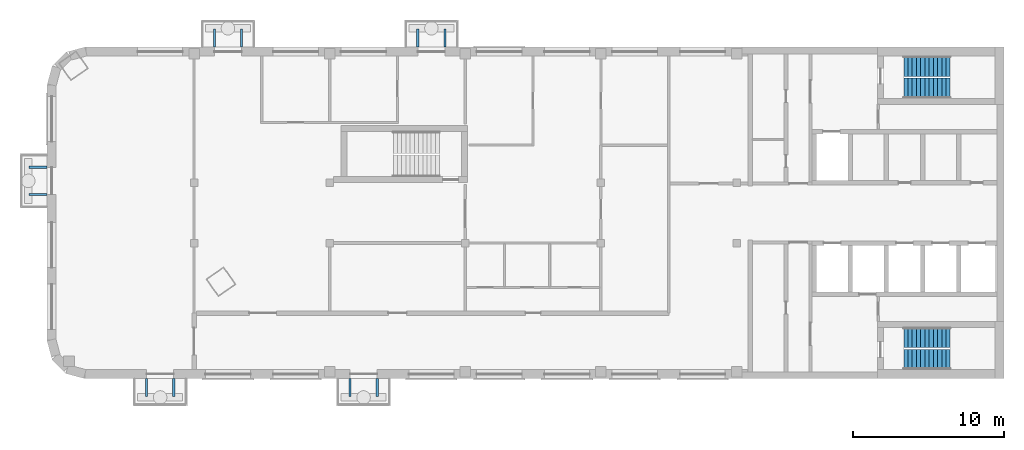
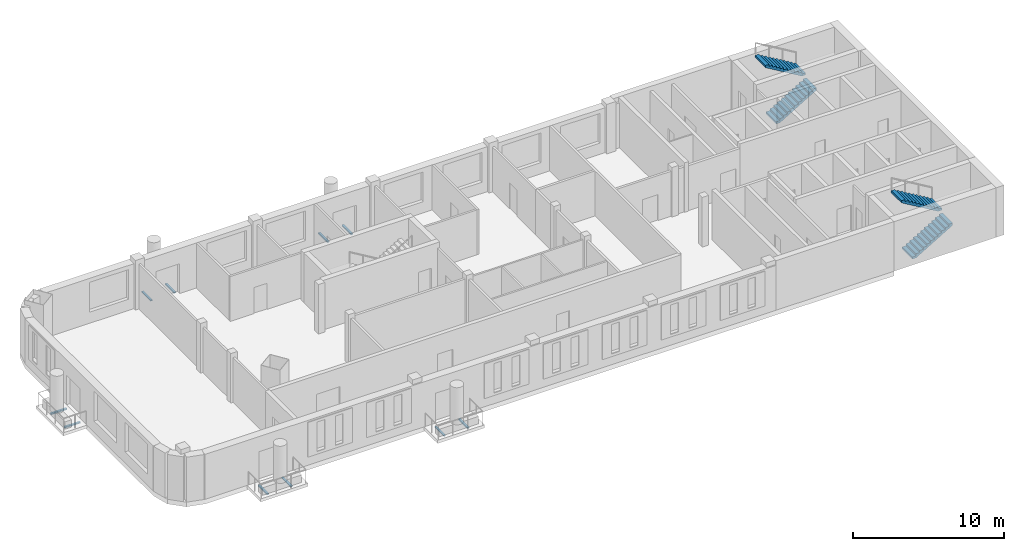
# One storey, part 5 of 8: 10 discrete accessories, 4 stair flights, 2 elements without a shape of their own.
"""IFC4 building model written with IfcOpenShell, lengths in metres."""

import ifcopenshell
import ifcopenshell.guid

model = None  # the IFC model being written
_history = None  # IfcOwnerHistory: only IFC2X3 demands one
_inside = {}  # id of a spatial element -> (the spatial element, [elements in it])
_under = {}  # id of a project, library or spatial element -> (it, [spatial elements below it])
_declared = {}  # id of a project -> (the project, [libraries it declares])
_typed = {}  # id of a type object -> (the type object, [elements of that type])
_made_of = {}  # id of a material, layer set ... -> (it, [elements and type objects made of it])


def new_model(schema):
    """Start an empty IFC model of exactly this schema.

    Asked for "IFC4X3", IfcOpenShell would pick the latest addendum, in which some entities
    have other attributes; the version numbers below select the first issue.
    IFC2X3 requires an IfcOwnerHistory on every rooted entity: one is made here for all.
    """
    global model, _history
    if schema == "IFC4X3":
        model = ifcopenshell.file(schema_version=(4, 3, 0, 0))
    else:
        model = ifcopenshell.file(schema=schema)
    _inside.clear()
    _under.clear()
    _declared.clear()
    _typed.clear()
    _made_of.clear()
    _history = None
    if model.schema == "IFC2X3":
        org = make("IfcOrganization", Name="unknown")
        user = make(
            "IfcPersonAndOrganization",
            ThePerson=make("IfcPerson", FamilyName="unknown"),
            TheOrganization=org,
        )
        app = make(
            "IfcApplication",
            ApplicationDeveloper=org,
            Version="unknown",
            ApplicationFullName="unknown",
            ApplicationIdentifier="unknown",
        )
        _history = make(
            "IfcOwnerHistory",
            OwningUser=user,
            OwningApplication=app,
            ChangeAction="ADDED",
            CreationDate=0,
        )
    return model


def make(cls, **values):
    """One entity of the class cls with the attributes given. An attribute that is None is left unset."""
    return model.create_entity(
        cls, **{name: value for name, value in values.items() if value is not None}
    )


def rooted(cls, **values):
    """An entity with a GlobalId (a new one), such as an element, a storey or a relation."""
    return make(cls, GlobalId=ifcopenshell.guid.new(), OwnerHistory=_history, **values)


def si_unit(unit_type, name, prefix=None):
    """IfcSIUnit, for example si_unit("LENGTHUNIT", "METRE", prefix="MILLI")."""
    return make("IfcSIUnit", UnitType=unit_type, Prefix=prefix, Name=name)


def assignment(units):
    """IfcUnitAssignment: the units of a project."""
    return None if units is None else make("IfcUnitAssignment", Units=units)


def point(xyz):
    """IfcCartesianPoint."""
    return None if xyz is None else make("IfcCartesianPoint", Coordinates=xyz)


def direction(xyz):
    """IfcDirection."""
    return None if xyz is None else make("IfcDirection", DirectionRatios=xyz)


def frame(location, z_axis=None, x_axis=None):
    """IfcAxis2Placement3D, a coordinate frame: its origin and axes. An axis left out is left unset."""
    return make(
        "IfcAxis2Placement3D",
        Location=point(location),
        Axis=direction(z_axis),
        RefDirection=direction(x_axis),
    )


def frame_2d(location, x_axis=None):
    """IfcAxis2Placement2D, a coordinate frame in the plane: its origin and x axis."""
    return make(
        "IfcAxis2Placement2D", Location=point(location), RefDirection=direction(x_axis)
    )


def origin():
    """The frame at (0, 0, 0) with its axes left unset."""
    return frame((0.0, 0.0, 0.0))


def origin_2d():
    """The frame at (0, 0) in the plane with its x axis left unset."""
    return frame_2d((0.0, 0.0))


def place(relative_to, where):
    """IfcLocalPlacement: puts the frame where relative to a parent placement (None: the world)."""
    return make(
        "IfcLocalPlacement", PlacementRelTo=relative_to, RelativePlacement=where
    )


def context(
    kind, dimensions, precision=None, world=None, true_north=None, identifier=None
):
    """IfcGeometricRepresentationContext, for example the 3D "Model" context."""
    return make(
        "IfcGeometricRepresentationContext",
        ContextIdentifier=identifier,
        ContextType=kind,
        CoordinateSpaceDimension=dimensions,
        Precision=precision,
        WorldCoordinateSystem=world,
        TrueNorth=true_north,
    )


def subcontext(parent, identifier, kind, view, scale=None):
    """IfcGeometricRepresentationSubContext, for example "Body" below "Model"."""
    return make(
        "IfcGeometricRepresentationSubContext",
        ContextIdentifier=identifier,
        ContextType=kind,
        ParentContext=parent,
        TargetScale=scale,
        TargetView=view,
    )


def project(units=None, contexts=None):
    """IfcProject with its units and contexts."""
    return rooted(
        "IfcProject",
        Name="project",
        RepresentationContexts=contexts,
        UnitsInContext=assignment(units),
    )


def spatial(cls, under=None, at=None, **own):
    """A site, building, storey or space (cls), placed at a placement, below another one or the project."""
    s = rooted(cls, ObjectPlacement=at, **own)
    if under is not None:
        _under.setdefault(under.id(), (under, []))[1].append(s)
    return s


def polyline(points):
    """IfcPolyline through the points."""
    return make("IfcPolyline", Points=[point(p) for p in points])


def profile(cls, at=None, kind="AREA", **sizes):
    """A parametric profile (cls). Its sizes go by their IFC names, for example OverallWidth=200.0."""
    return make(cls, ProfileType=kind, Position=at, **sizes)


def rectangle(**sizes):
    """IfcRectangleProfileDef."""
    return profile("IfcRectangleProfileDef", **sizes)


def outline(outer, holes=None, kind="AREA"):
    """IfcArbitraryClosedProfileDef: a profile drawn as a closed curve; with holes, ...WithVoids."""
    if holes is None:
        return make("IfcArbitraryClosedProfileDef", ProfileType=kind, OuterCurve=outer)
    return make(
        "IfcArbitraryProfileDefWithVoids",
        ProfileType=kind,
        OuterCurve=outer,
        InnerCurves=holes,
    )


def extrude(swept, where, along, depth):
    """IfcExtrudedAreaSolid: the profile swept, set in the frame where, extruded along a direction by depth."""
    return make(
        "IfcExtrudedAreaSolid",
        SweptArea=swept,
        Position=where,
        ExtrudedDirection=direction(along),
        Depth=depth,
    )


def shape(context_of_items, identifier, shape_type, items):
    """IfcShapeRepresentation: the items that make up one representation, for example the "Body"."""
    return make(
        "IfcShapeRepresentation",
        ContextOfItems=context_of_items,
        RepresentationIdentifier=identifier,
        RepresentationType=shape_type,
        Items=items,
    )


def material(Name=None, Category=None):
    """IfcMaterial."""
    return make("IfcMaterial", Name=Name, Category=Category)


def made_of(thing, what):
    """Note that an element or type object is made of a material, layer set ...; save() writes the relation."""
    if what is not None:
        _made_of.setdefault(what.id(), (what, []))[1].append(thing)
    return thing


def type_object(cls, material=None, **own):
    """A type object (cls), such as IfcWallType, which elements share."""
    return made_of(rooted(cls, **own), material)


def element(
    cls,
    number,
    at=None,
    inside=None,
    cuts=None,
    type_object=None,
    material=None,
    context=None,
    identifier="Body",
    shape_type=None,
    held_by="IfcProductDefinitionShape",
    body=None,
    shapes=None,
    **own,
):
    """One element of the class cls, such as IfcWall. Its Tag is "e" and its number.

    at: its placement. inside: the storey or other place that contains it. cuts: it is an
    opening in that element (IfcRelVoidsElement). A single representation is given by context,
    identifier, shape_type and body (its items); several are given by shapes. held_by: the class
    of the entity that holds the representations. save() writes the other relations.
    """
    e = rooted(cls, Tag="e%d" % number, ObjectPlacement=at, **own)
    if body is not None:
        shapes = [shape(context, identifier, shape_type, body)]
    if shapes is not None:
        e.Representation = make(held_by, Representations=shapes)
    if inside is not None:
        _inside.setdefault(inside.id(), (inside, []))[1].append(e)
    if cuts is not None:
        rooted(
            "IfcRelVoidsElement", RelatingBuildingElement=cuts, RelatedOpeningElement=e
        )
    if type_object is not None:
        _typed.setdefault(type_object.id(), (type_object, []))[1].append(e)
    return made_of(e, material)


def aggregate(whole, parts):
    """IfcRelAggregates: a whole, such as a stair, and the parts it consists of."""
    return rooted("IfcRelAggregates", RelatingObject=whole, RelatedObjects=parts)


def save(model, path):
    """Write the relations noted so far, then the file.

    IfcRelAggregates (storeys below a building ...), IfcRelContainedInSpatialStructure (elements
    in a storey), IfcRelDefinesByType, IfcRelAssociatesMaterial and IfcRelDeclares: one each for
    every whole, place, type object, material and project.
    """
    for whole, parts in _under.values():
        aggregate(whole, parts)
    for where, things in _inside.values():
        rooted(
            "IfcRelContainedInSpatialStructure",
            RelatedElements=things,
            RelatingStructure=where,
        )
    for kind, things in _typed.values():
        rooted("IfcRelDefinesByType", RelatedObjects=things, RelatingType=kind)
    for what, things in _made_of.values():
        rooted("IfcRelAssociatesMaterial", RelatedObjects=things, RelatingMaterial=what)
    for by, libraries in _declared.values():
        rooted("IfcRelDeclares", RelatingContext=by, RelatedDefinitions=libraries)
    model.write(path)


model = new_model("IFC4")

# Units and contexts
model_context = context("Model", 3, precision=1e-05, world=origin(), true_north=direction((0.0, 1.0)))
body_context = subcontext(model_context, "Body", "Model", "MODEL_VIEW")
ifc_project = project(units=[si_unit("LENGTHUNIT", "METRE"), si_unit("AREAUNIT", "SQUARE_METRE"), si_unit("VOLUMEUNIT", "CUBIC_METRE"), si_unit("PLANEANGLEUNIT", "RADIAN"), si_unit("MASSUNIT", "GRAM", prefix="KILO")], contexts=[model_context])

# Site, building, storey
site_placement = place(None, origin())
site = spatial("IfcSite", under=ifc_project, at=site_placement, CompositionType="ELEMENT")
building_placement = place(site_placement, origin())
building = spatial("IfcBuilding", under=site, at=building_placement, Name="Skarvind Civic Tower", CompositionType="ELEMENT")
storey_placement = place(building_placement, frame((0.0, 0.0, 253.5)))
storey = spatial("IfcBuildingStorey", under=building, at=storey_placement, Name="L60", CompositionType="ELEMENT", Elevation=253.5)

# Stair, stair flights
ifc_material = material(Name="Concrete C40/50", Category="concrete")
stair_type = type_object("IfcStairType", Name="Exit stair, half-turn, concrete", PredefinedType="HALF_TURN_STAIR", material=ifc_material)
stair_1_placement = place(storey_placement, origin())
stair_1 = element("IfcStair", 1, at=stair_1_placement, inside=storey, type_object=stair_type, Name="Exit stair C1S", PredefinedType="HALF_TURN_STAIR")
stair_flight_type = type_object("IfcStairFlightType", Name="Stair flight, concrete", PredefinedType="STRAIGHT", material=ifc_material)
stair_flight_1_placement = place(storey_placement, frame((101.35009765625, 136.27490234375, 0.0), z_axis=(0.0, 0.0, 1.0), x_axis=(1.0, 0.0, 0.0)))
stair_flight_1 = element("IfcStairFlight", 2, at=stair_flight_1_placement, type_object=stair_flight_type, Name="ST-C1S flight 1", NumberOfRisers=12, NumberOfTreads=11, PredefinedType="STRAIGHT", RiserHeight=0.166666667, TreadLength=0.28, context=body_context, shape_type="SweptSolid", body=[
    extrude(outline(polyline([(0.0, 0.0), (0.0, 0.166748046875), (0.280029296875, 0.166748046875), (0.280029296875, 0.333251953125), (0.56005859375, 0.333251953125), (0.56005859375, 0.5), (0.840087890625, 0.5), (0.840087890625, 0.666748046875), (1.1201171875, 0.666748046875), (1.1201171875, 0.833251953125), (1.39990234375, 0.833251953125), (1.39990234375, 1.0), (1.679931640625, 1.0), (1.679931640625, 1.166748046875), (1.9599609375, 1.166748046875), (1.9599609375, 1.333251953125), (2.239990234375, 1.333251953125), (2.239990234375, 1.5), (2.52001953125, 1.5), (2.52001953125, 1.666748046875), (2.800048828125, 1.666748046875), (2.800048828125, 1.833251953125), (3.080078125, 1.833251953125), (3.080078125, 2.0), (3.080078125, 1.658935546875), (0.29296875, 0.0), (0.0, 0.0)])), frame((0.0, 0.675048828125, 0.0), z_axis=(0.0, -1.0, 0.0), x_axis=(1.0, 0.0, 0.0)), (0.0, 0.0, 1.0), 1.35009765625),
])
stair_flight_2_placement = place(storey_placement, frame((104.429931640625, 137.72509765625, 2.0), z_axis=(0.0, 0.0, 1.0), x_axis=(-1.0, 0.0, 0.0)))
stair_flight_2 = element("IfcStairFlight", 3, at=stair_flight_2_placement, type_object=stair_flight_type, Name="ST-C1S flight 2", NumberOfRisers=12, NumberOfTreads=11, PredefinedType="STRAIGHT", RiserHeight=0.166666667, TreadLength=0.28, context=body_context, shape_type="SweptSolid", body=[
    extrude(outline(polyline([(0.0, 0.0), (0.0, 0.166748046875), (0.280029296875, 0.166748046875), (0.280029296875, 0.333251953125), (0.56005859375, 0.333251953125), (0.56005859375, 0.5), (0.840087890625, 0.5), (0.840087890625, 0.666748046875), (1.1201171875, 0.666748046875), (1.1201171875, 0.833251953125), (1.39990234375, 0.833251953125), (1.39990234375, 1.0), (1.679931640625, 1.0), (1.679931640625, 1.166748046875), (1.9599609375, 1.166748046875), (1.9599609375, 1.333251953125), (2.239990234375, 1.333251953125), (2.239990234375, 1.5), (2.52001953125, 1.5), (2.52001953125, 1.666748046875), (2.800048828125, 1.666748046875), (2.800048828125, 1.833251953125), (3.080078125, 1.833251953125), (3.080078125, 2.0), (3.080078125, 1.658935546875), (0.29296875, 0.0), (0.0, 0.0)])), frame((0.0, 0.675048828125, 0.0), z_axis=(0.0, -1.0, 0.0), x_axis=(1.0, 0.0, 0.0)), (0.0, 0.0, 1.0), 1.35009765625),
])
aggregate(stair_1, [stair_flight_1, stair_flight_2])

stair_2_placement = place(storey_placement, origin())
stair_2 = element("IfcStair", 4, at=stair_2_placement, inside=storey, type_object=stair_type, Name="Exit stair C1N", PredefinedType="HALF_TURN_STAIR")
stair_flight_3_placement = place(storey_placement, frame((101.35009765625, 118.27490234375, 0.0), z_axis=(0.0, 0.0, 1.0), x_axis=(1.0, 0.0, 0.0)))
stair_flight_3 = element("IfcStairFlight", 5, at=stair_flight_3_placement, type_object=stair_flight_type, Name="ST-C1N flight 1", NumberOfRisers=12, NumberOfTreads=11, PredefinedType="STRAIGHT", RiserHeight=0.166666667, TreadLength=0.28, context=body_context, shape_type="SweptSolid", body=[
    extrude(outline(polyline([(0.0, 0.0), (0.0, 0.166748046875), (0.280029296875, 0.166748046875), (0.280029296875, 0.333251953125), (0.56005859375, 0.333251953125), (0.56005859375, 0.5), (0.840087890625, 0.5), (0.840087890625, 0.666748046875), (1.1201171875, 0.666748046875), (1.1201171875, 0.833251953125), (1.39990234375, 0.833251953125), (1.39990234375, 1.0), (1.679931640625, 1.0), (1.679931640625, 1.166748046875), (1.9599609375, 1.166748046875), (1.9599609375, 1.333251953125), (2.239990234375, 1.333251953125), (2.239990234375, 1.5), (2.52001953125, 1.5), (2.52001953125, 1.666748046875), (2.800048828125, 1.666748046875), (2.800048828125, 1.833251953125), (3.080078125, 1.833251953125), (3.080078125, 2.0), (3.080078125, 1.658935546875), (0.29296875, 0.0), (0.0, 0.0)])), frame((0.0, 0.675048828125, 0.0), z_axis=(0.0, -1.0, 0.0), x_axis=(1.0, 0.0, 0.0)), (0.0, 0.0, 1.0), 1.35009765625),
])
stair_flight_4_placement = place(storey_placement, frame((104.429931640625, 119.72509765625, 2.0), z_axis=(0.0, 0.0, 1.0), x_axis=(-1.0, 0.0, 0.0)))
stair_flight_4 = element("IfcStairFlight", 6, at=stair_flight_4_placement, type_object=stair_flight_type, Name="ST-C1N flight 2", NumberOfRisers=12, NumberOfTreads=11, PredefinedType="STRAIGHT", RiserHeight=0.166666667, TreadLength=0.28, context=body_context, shape_type="SweptSolid", body=[
    extrude(outline(polyline([(0.0, 0.0), (0.0, 0.166748046875), (0.280029296875, 0.166748046875), (0.280029296875, 0.333251953125), (0.56005859375, 0.333251953125), (0.56005859375, 0.5), (0.840087890625, 0.5), (0.840087890625, 0.666748046875), (1.1201171875, 0.666748046875), (1.1201171875, 0.833251953125), (1.39990234375, 0.833251953125), (1.39990234375, 1.0), (1.679931640625, 1.0), (1.679931640625, 1.166748046875), (1.9599609375, 1.166748046875), (1.9599609375, 1.333251953125), (2.239990234375, 1.333251953125), (2.239990234375, 1.5), (2.52001953125, 1.5), (2.52001953125, 1.666748046875), (2.800048828125, 1.666748046875), (2.800048828125, 1.833251953125), (3.080078125, 1.833251953125), (3.080078125, 2.0), (3.080078125, 1.658935546875), (0.29296875, 0.0), (0.0, 0.0)])), frame((0.0, 0.675048828125, 0.0), z_axis=(0.0, -1.0, 0.0), x_axis=(1.0, 0.0, 0.0)), (0.0, 0.0, 1.0), 1.35009765625),
])
aggregate(stair_2, [stair_flight_3, stair_flight_4])

# Discrete accessories
for number, where, z_axis, x_axis, name in (
    (7, (55.60009765625, 139.60009765625, -0.35009765625), (0.0, 0.0, 1.0), (1.0, 0.0, 0.0), "TREE BALCONY BRACKET"),
    (8, (57.39990234375, 139.60009765625, -0.35009765625), (0.0, 0.0, 1.0), (1.0, 0.0, 0.0), "TREE BALCONY BRACKET"),
    (9, (69.10009765625, 139.60009765625, -0.35009765625), (0.0, 0.0, 1.0), (1.0, 0.0, 0.0), "TREE BALCONY BRACKET"),
    (10, (70.89990234375, 139.60009765625, -0.35009765625), (0.0, 0.0, 1.0), (1.0, 0.0, 0.0), "TREE BALCONY BRACKET"),
    (11, (43.89990234375, 129.22509765625, -0.35009765625), (0.0, 0.0, 1.0), (0.0, 1.0, 0.0), "TREE BALCONY BRACKET"),
    (12, (43.89990234375, 131.02490234375, -0.35009765625), (0.0, 0.0, 1.0), (0.0, 1.0, 0.0), "TREE BALCONY BRACKET"),
    (13, (66.39990234375, 116.39990234375, -0.35009765625), (0.0, 0.0, 1.0), (-1.0, 0.0, 0.0), "TREE BALCONY BRACKET"),
    (14, (64.60009765625, 116.39990234375, -0.35009765625), (0.0, 0.0, 1.0), (-1.0, 0.0, 0.0), "TREE BALCONY BRACKET"),
    (15, (52.89990234375, 116.39990234375, -0.35009765625), (0.0, 0.0, 1.0), (-1.0, 0.0, 0.0), "TREE BALCONY BRACKET"),
    (16, (51.10009765625, 116.39990234375, -0.35009765625), (0.0, 0.0, 1.0), (-1.0, 0.0, 0.0), "TREE BALCONY BRACKET"),
):
    element("IfcDiscreteAccessory", number, at=place(storey_placement, frame(where, z_axis=z_axis, x_axis=x_axis)), inside=storey, Name=name, PredefinedType="BRACKET", context=body_context, shape_type="SweptSolid", body=[
        extrude(rectangle(XDim=0.14990234375, YDim=1.199951171875, at=origin_2d()), origin(), (0.0, 0.0, 1.0), 0.10009765625),
    ])

save(model, "model.ifc")
